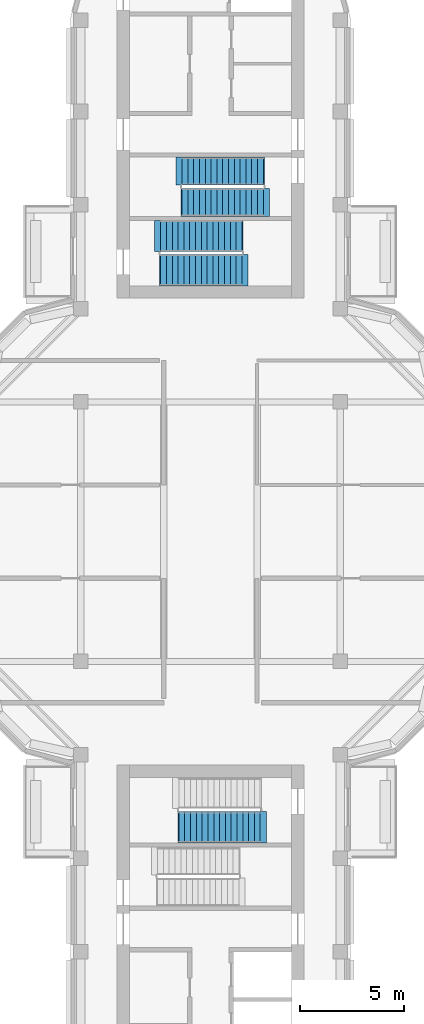
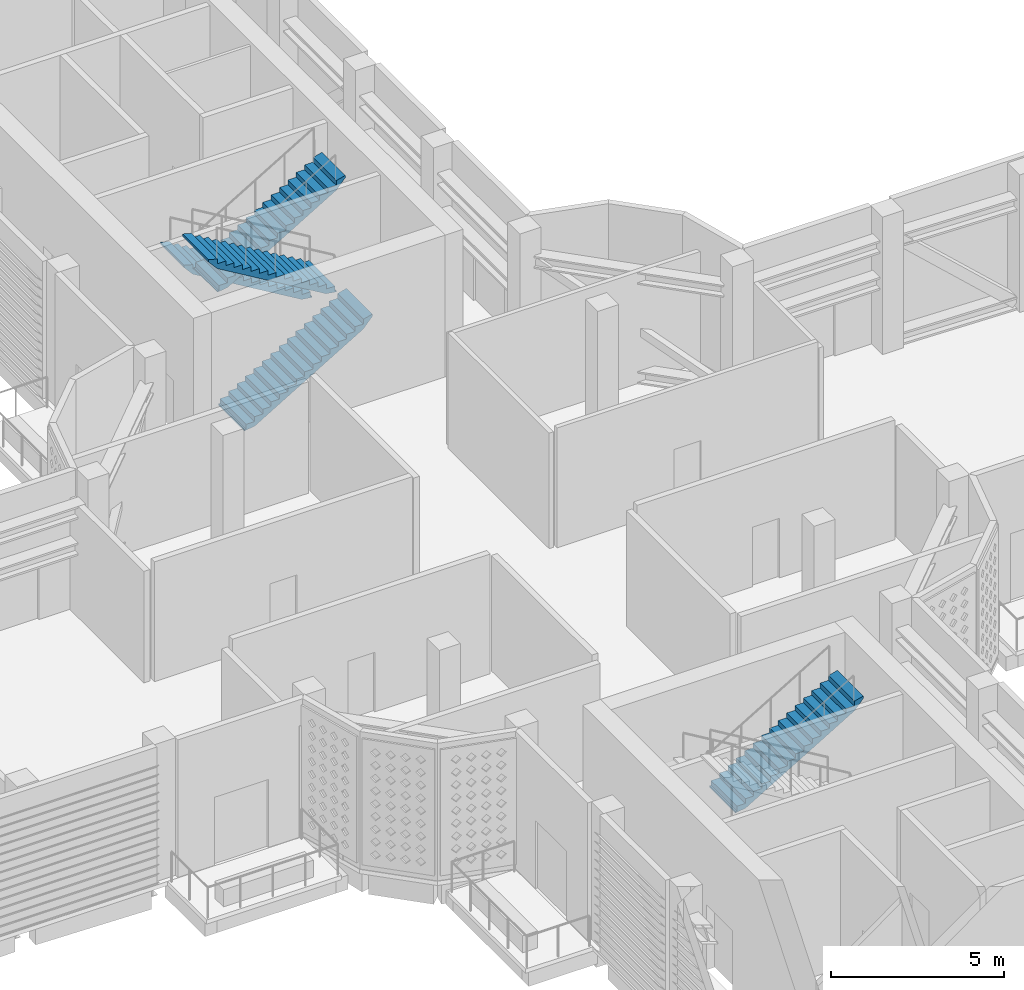
# One storey, part 8 of 20: 5 stair flights, 3 elements without a shape of their own.
"""IFC4 building model written with IfcOpenShell, lengths in metres."""

from ifc_helpers import new_model, si_unit, direction, frame, origin, place, context, subcontext, project, spatial, polyline, outline, extrude, material, type_object, element, aggregate, save


model = new_model("IFC4")

# Units and contexts
model_context = context("Model", 3, precision=1e-05, world=origin(), true_north=direction((0.0, 1.0)))
body_context = subcontext(model_context, "Body", "Model", "MODEL_VIEW")
ifc_project = project(units=[si_unit("LENGTHUNIT", "METRE"), si_unit("AREAUNIT", "SQUARE_METRE"), si_unit("VOLUMEUNIT", "CUBIC_METRE"), si_unit("PLANEANGLEUNIT", "RADIAN"), si_unit("MASSUNIT", "GRAM", prefix="KILO")], contexts=[model_context])

# Site, building, storey
site_placement = place(None, origin())
site = spatial("IfcSite", under=ifc_project, at=site_placement, CompositionType="ELEMENT")
building_placement = place(site_placement, origin())
building = spatial("IfcBuilding", under=site, at=building_placement, Name="Zarbagh Exchange Tower", CompositionType="ELEMENT")
storey_placement = place(building_placement, frame((0.0, 0.0, 244.800048828125)))
storey = spatial("IfcBuildingStorey", under=building, at=storey_placement, Name="L60", CompositionType="ELEMENT", Elevation=244.800048828125)

# Stair, stair flights
ifc_material = material(Name="Concrete C40/50", Category="concrete")
stair_type = type_object("IfcStairType", Name="Exit stair two-flight half-turn", PredefinedType="HALF_TURN_STAIR", material=ifc_material)
stair_1_placement = place(storey_placement, origin())
stair_1 = element("IfcStair", 1, at=stair_1_placement, inside=storey, type_object=stair_type, Name="exit stair ST1", PredefinedType="HALF_TURN_STAIR")
stair_flight_type_1 = type_object("IfcStairFlightType", Name="Stair flight 1350 mm", PredefinedType="STRAIGHT", material=ifc_material)
stair_flight_1_placement = place(storey_placement, frame((2.550048828125, 17.375, 0.0), z_axis=(0.0, 0.0, 1.0), x_axis=(-1.0, 0.0, 0.0)))
stair_flight_1 = element("IfcStairFlight", 2, at=stair_flight_1_placement, type_object=stair_flight_type_1, Name="ST1 flight 1", NumberOfRisers=15, NumberOfTreads=14, PredefinedType="STRAIGHT", RiserHeight=0.166666667, TreadLength=0.28, context=body_context, shape_type="SweptSolid", body=[
    extrude(outline(polyline([(-0.050048828125, -0.050048828125), (-0.050048828125, 0.0), (0.0, 0.0), (0.0, 0.166748046875), (0.280029296875, 0.166748046875), (0.280029296875, 0.333251953125), (0.56005859375, 0.333251953125), (0.56005859375, 0.5), (0.840087890625, 0.5), (0.840087890625, 0.666748046875), (1.1201171875, 0.666748046875), (1.1201171875, 0.833251953125), (1.39990234375, 0.833251953125), (1.39990234375, 1.0), (1.679931640625, 1.0), (1.679931640625, 1.166748046875), (1.9599609375, 1.166748046875), (1.9599609375, 1.333251953125), (2.239990234375, 1.333251953125), (2.239990234375, 1.5), (2.52001953125, 1.5), (2.52001953125, 1.666748046875), (2.800048828125, 1.666748046875), (2.800048828125, 1.833251953125), (3.080078125, 1.833251953125), (3.080078125, 2.0), (3.360107421875, 2.0), (3.360107421875, 2.166748046875), (3.639892578125, 2.166748046875), (3.639892578125, 2.333251953125), (3.919921875, 2.333251953125), (3.919921875, 2.5), (4.219970703125, 2.580078125), (4.219970703125, 2.5), (3.919921875, 2.158935546875), (0.29296875, 0.0), (-0.050048828125, -0.050048828125)])), frame((0.0, 0.675048828125, 0.0), z_axis=(0.0, -1.0, 0.0), x_axis=(1.0, 0.0, 0.0)), (0.0, 0.0, 1.0), 1.35009765625),
])
stair_flight_2_placement = place(storey_placement, frame((-1.3701171875, 15.875, 2.5), z_axis=(0.0, 0.0, 1.0), x_axis=(1.0, 0.0, 0.0)))
stair_flight_2 = element("IfcStairFlight", 3, at=stair_flight_2_placement, type_object=stair_flight_type_1, Name="ST1 flight 2", NumberOfRisers=15, NumberOfTreads=14, PredefinedType="STRAIGHT", RiserHeight=0.166666667, TreadLength=0.28, context=body_context, shape_type="SweptSolid", body=[
    extrude(outline(polyline([(-0.050048828125, -0.050048828125), (-0.050048828125, 0.0), (0.0, 0.0), (0.0, 0.166748046875), (0.280029296875, 0.166748046875), (0.280029296875, 0.333251953125), (0.56005859375, 0.333251953125), (0.56005859375, 0.5), (0.840087890625, 0.5), (0.840087890625, 0.666748046875), (1.1201171875, 0.666748046875), (1.1201171875, 0.833251953125), (1.39990234375, 0.833251953125), (1.39990234375, 1.0), (1.679931640625, 1.0), (1.679931640625, 1.166748046875), (1.9599609375, 1.166748046875), (1.9599609375, 1.333251953125), (2.239990234375, 1.333251953125), (2.239990234375, 1.5), (2.52001953125, 1.5), (2.52001953125, 1.666748046875), (2.800048828125, 1.666748046875), (2.800048828125, 1.833251953125), (3.080078125, 1.833251953125), (3.080078125, 2.0), (3.360107421875, 2.0), (3.360107421875, 2.166748046875), (3.639892578125, 2.166748046875), (3.639892578125, 2.333251953125), (3.919921875, 2.333251953125), (3.919921875, 2.5), (4.219970703125, 2.580078125), (4.219970703125, 2.5), (3.919921875, 2.158935546875), (0.29296875, 0.0), (-0.050048828125, -0.050048828125)])), frame((0.0, 0.675048828125, 0.0), z_axis=(0.0, -1.0, 0.0), x_axis=(1.0, 0.0, 0.0)), (0.0, 0.0, 1.0), 1.35009765625),
])
aggregate(stair_1, [stair_flight_1, stair_flight_2])

stair_2_placement = place(storey_placement, origin())
stair_2 = element("IfcStair", 4, at=stair_2_placement, inside=storey, type_object=stair_type, Name="exit stair ST2", PredefinedType="HALF_TURN_STAIR")
stair_flight_type_2 = type_object("IfcStairFlightType", Name="Stair flight 1500 mm", PredefinedType="STRAIGHT", material=ifc_material)
stair_flight_3_placement = place(storey_placement, frame((-2.39990234375, 12.60009765625, 0.0), z_axis=(0.0, 0.0, 1.0), x_axis=(1.0, 0.0, 0.0)))
stair_flight_3 = element("IfcStairFlight", 5, at=stair_flight_3_placement, type_object=stair_flight_type_2, Name="ST2 flight 1", NumberOfRisers=15, NumberOfTreads=14, PredefinedType="STRAIGHT", RiserHeight=0.166666667, TreadLength=0.28, context=body_context, shape_type="SweptSolid", body=[
    extrude(outline(polyline([(-0.050048828125, -0.050048828125), (-0.050048828125, 0.0), (0.0, 0.0), (0.0, 0.166748046875), (0.280029296875, 0.166748046875), (0.280029296875, 0.333251953125), (0.56005859375, 0.333251953125), (0.56005859375, 0.5), (0.840087890625, 0.5), (0.840087890625, 0.666748046875), (1.1201171875, 0.666748046875), (1.1201171875, 0.833251953125), (1.39990234375, 0.833251953125), (1.39990234375, 1.0), (1.679931640625, 1.0), (1.679931640625, 1.166748046875), (1.9599609375, 1.166748046875), (1.9599609375, 1.333251953125), (2.239990234375, 1.333251953125), (2.239990234375, 1.5), (2.52001953125, 1.5), (2.52001953125, 1.666748046875), (2.800048828125, 1.666748046875), (2.800048828125, 1.833251953125), (3.080078125, 1.833251953125), (3.080078125, 2.0), (3.360107421875, 2.0), (3.360107421875, 2.166748046875), (3.639892578125, 2.166748046875), (3.639892578125, 2.333251953125), (3.919921875, 2.333251953125), (3.919921875, 2.5), (4.219970703125, 2.580078125), (4.219970703125, 2.5), (3.919921875, 2.158935546875), (0.29296875, 0.0), (-0.050048828125, -0.050048828125)])), frame((0.0, 0.75, 0.0), z_axis=(0.0, -1.0, 0.0), x_axis=(1.0, 0.0, 0.0)), (0.0, 0.0, 1.0), 1.5),
])
stair_flight_4_placement = place(storey_placement, frame((1.52001953125, 14.25, 2.5), z_axis=(0.0, 0.0, 1.0), x_axis=(-1.0, 0.0, 0.0)))
stair_flight_4 = element("IfcStairFlight", 6, at=stair_flight_4_placement, type_object=stair_flight_type_2, Name="ST2 flight 2", NumberOfRisers=15, NumberOfTreads=14, PredefinedType="STRAIGHT", RiserHeight=0.166666667, TreadLength=0.28, context=body_context, shape_type="SweptSolid", body=[
    extrude(outline(polyline([(-0.050048828125, -0.050048828125), (-0.050048828125, 0.0), (0.0, 0.0), (0.0, 0.166748046875), (0.280029296875, 0.166748046875), (0.280029296875, 0.333251953125), (0.56005859375, 0.333251953125), (0.56005859375, 0.5), (0.840087890625, 0.5), (0.840087890625, 0.666748046875), (1.1201171875, 0.666748046875), (1.1201171875, 0.833251953125), (1.39990234375, 0.833251953125), (1.39990234375, 1.0), (1.679931640625, 1.0), (1.679931640625, 1.166748046875), (1.9599609375, 1.166748046875), (1.9599609375, 1.333251953125), (2.239990234375, 1.333251953125), (2.239990234375, 1.5), (2.52001953125, 1.5), (2.52001953125, 1.666748046875), (2.800048828125, 1.666748046875), (2.800048828125, 1.833251953125), (3.080078125, 1.833251953125), (3.080078125, 2.0), (3.360107421875, 2.0), (3.360107421875, 2.166748046875), (3.639892578125, 2.166748046875), (3.639892578125, 2.333251953125), (3.919921875, 2.333251953125), (3.919921875, 2.5), (4.219970703125, 2.580078125), (4.219970703125, 2.5), (3.919921875, 2.158935546875), (0.29296875, 0.0), (-0.050048828125, -0.050048828125)])), frame((0.0, 0.75, 0.0), z_axis=(0.0, -1.0, 0.0), x_axis=(1.0, 0.0, 0.0)), (0.0, 0.0, 1.0), 1.5),
])
aggregate(stair_2, [stair_flight_3, stair_flight_4])

# Stair, stair flight
stair_3_placement = place(storey_placement, origin())
stair_3 = element("IfcStair", 7, at=stair_3_placement, inside=storey, type_object=stair_type, Name="exit stair ST4", PredefinedType="HALF_TURN_STAIR")
stair_flight_5_placement = place(storey_placement, frame((-1.52001953125, -14.25, 2.5), z_axis=(0.0, 0.0, 1.0), x_axis=(1.0, 0.0, 0.0)))
stair_flight_5 = element("IfcStairFlight", 8, at=stair_flight_5_placement, type_object=stair_flight_type_2, Name="ST4 flight 2", NumberOfRisers=15, NumberOfTreads=14, PredefinedType="STRAIGHT", RiserHeight=0.166666667, TreadLength=0.28, context=body_context, shape_type="SweptSolid", body=[
    extrude(outline(polyline([(-0.050048828125, -0.050048828125), (-0.050048828125, 0.0), (0.0, 0.0), (0.0, 0.166748046875), (0.280029296875, 0.166748046875), (0.280029296875, 0.333251953125), (0.56005859375, 0.333251953125), (0.56005859375, 0.5), (0.840087890625, 0.5), (0.840087890625, 0.666748046875), (1.1201171875, 0.666748046875), (1.1201171875, 0.833251953125), (1.39990234375, 0.833251953125), (1.39990234375, 1.0), (1.679931640625, 1.0), (1.679931640625, 1.166748046875), (1.9599609375, 1.166748046875), (1.9599609375, 1.333251953125), (2.239990234375, 1.333251953125), (2.239990234375, 1.5), (2.52001953125, 1.5), (2.52001953125, 1.666748046875), (2.800048828125, 1.666748046875), (2.800048828125, 1.833251953125), (3.080078125, 1.833251953125), (3.080078125, 2.0), (3.360107421875, 2.0), (3.360107421875, 2.166748046875), (3.639892578125, 2.166748046875), (3.639892578125, 2.333251953125), (3.919921875, 2.333251953125), (3.919921875, 2.5), (4.219970703125, 2.580078125), (4.219970703125, 2.5), (3.919921875, 2.158935546875), (0.29296875, 0.0), (-0.050048828125, -0.050048828125)])), frame((0.0, 0.75, 0.0), z_axis=(0.0, -1.0, 0.0), x_axis=(1.0, 0.0, 0.0)), (0.0, 0.0, 1.0), 1.5),
])
aggregate(stair_3, [stair_flight_5])

save(model, "model.ifc")
